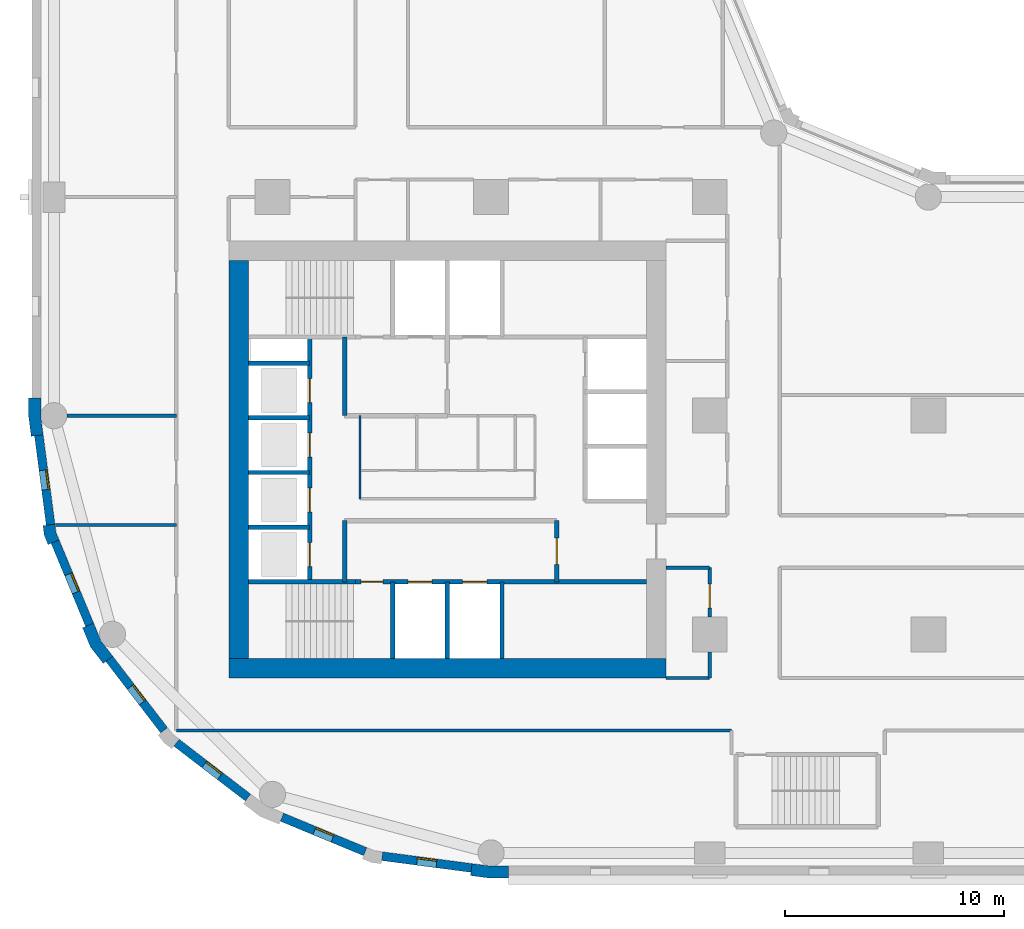
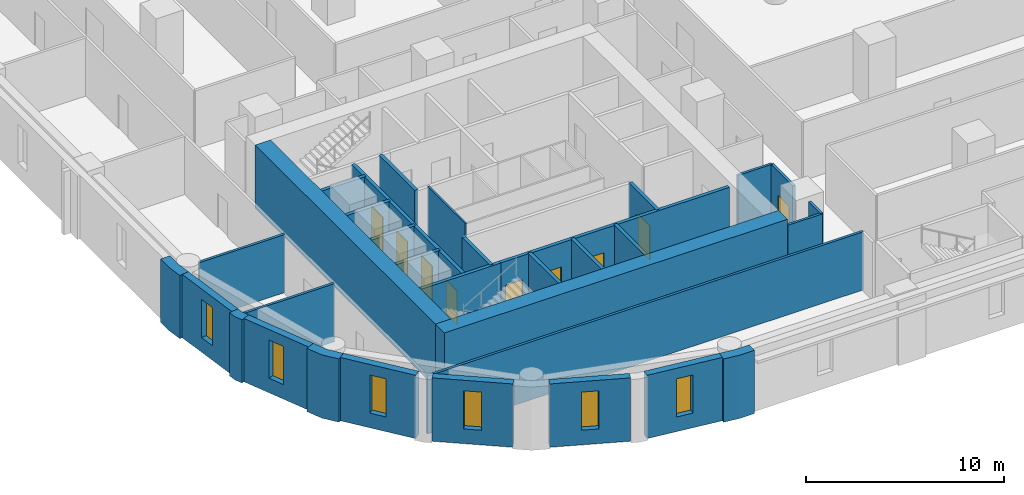
# One storey, part 2 of 10: 33 walls, 9 doors, 6 windows, 15 openings.
"""IFC4 building model written with IfcOpenShell, lengths in metres."""

from ifc_helpers import new_model, si_unit, direction, frame, frame_2d, origin, place, context, subcontext, project, spatial, polyline, rectangle, outline, extrude, material, layer, layer_set, type_object, element, fill, save


model = new_model("IFC4")

# Units and contexts
model_context = context("Model", 3, precision=1e-05, world=origin(), true_north=direction((0.0, 1.0)))
body_context = subcontext(model_context, "Body", "Model", "MODEL_VIEW")
ifc_project = project(units=[si_unit("LENGTHUNIT", "METRE"), si_unit("AREAUNIT", "SQUARE_METRE"), si_unit("VOLUMEUNIT", "CUBIC_METRE"), si_unit("PLANEANGLEUNIT", "RADIAN"), si_unit("MASSUNIT", "GRAM", prefix="KILO")], contexts=[model_context])

# Site, building, storey
site_placement = place(None, origin())
site = spatial("IfcSite", under=ifc_project, at=site_placement, CompositionType="ELEMENT")
building_placement = place(site_placement, origin())
building = spatial("IfcBuilding", under=site, at=building_placement, Name="Qaws Garden Tower", CompositionType="ELEMENT")
storey_placement = place(building_placement, frame((0.0, 0.0, 12.0)))
storey = spatial("IfcBuildingStorey", under=building, at=storey_placement, Name="L02", CompositionType="ELEMENT", Elevation=12.0)

# Wall, opening, window
ifc_material_1 = material(Name="Clay facing brick masonry", Category="masonry")
ifc_layer_1 = layer(ifc_material_1, 0.39990234375)
ifc_layer_set_1 = layer_set([ifc_layer_1], Name="Clay facing brick masonry")
wall_type_1 = type_object("IfcWallType", Name="Brick infill wall 400", PredefinedType="SOLIDWALL", material=ifc_layer_set_1)
wall_1_placement = place(storey_placement, frame((-0.688720703125, 19.102294921875, 0.0), z_axis=(0.0, 0.0, 1.0), x_axis=(0.130514280502, -0.991446429508, 0.0)))
wall_1 = element("IfcWall", 1, at=wall_1_placement, inside=storey, type_object=wall_type_1, Name="E-L02-infill-27", PredefinedType="SOLIDWALL", context=body_context, shape_type="SweptSolid", body=[
    extrude(rectangle(XDim=4.120849609375, YDim=0.39990234375, at=frame_2d((2.060546875, 0.0))), origin(), (0.0, 0.0, 1.0), 3.89990234375),
])
opening_1_placement = place(wall_1_placement, frame((1.610595703125, 0.0, 0.89990234375)))
opening_1 = element("IfcOpeningElement", 2, at=opening_1_placement, cuts=wall_1, Name="Opening W09", PredefinedType="OPENING", context=body_context, shape_type="SweptSolid", body=[
    extrude(rectangle(XDim=0.89990234375, YDim=2.35009765625, at=frame_2d((0.449951171875, 1.175048828125))), frame((0.0, 0.2099609375, 0.0), z_axis=(0.0, -1.0, 0.0), x_axis=(1.0, 0.0, 0.0)), (0.0, 0.0, 1.0), 0.419921875),
])
ifc_material_2 = material(Name="Aluminium framed window, clear glazing", Category="aluminium")
window_type = type_object("IfcWindowType", Name="Slit window 900 x 2350", PartitioningType="SINGLE_PANEL", PredefinedType="WINDOW", material=ifc_material_2)
window_1_placement = place(opening_1_placement, origin())
window_1 = element("IfcWindow", 3, at=window_1_placement, inside=storey, type_object=window_type, Name="E-L02-window-27-0", OverallHeight=2.35009765625, OverallWidth=0.89990234375, PartitioningType="SINGLE_PANEL", PredefinedType="WINDOW", context=body_context, shape_type="SweptSolid", body=[
    extrude(rectangle(XDim=0.89990234375, YDim=2.35009765625, at=frame_2d((0.449951171875, 1.175048828125))), frame((0.0, 0.159912109375, 0.0), z_axis=(0.0, -1.0, 0.0), x_axis=(1.0, 0.0, 0.0)), (0.0, 0.0, 1.0), 0.06005859375),
])
fill(opening_1, window_1)

wall_2_placement = place(storey_placement, frame((0.05712890625, 14.240234375, 0.0), z_axis=(0.0, 0.0, 1.0), x_axis=(0.382721546029, -0.923863744394, 0.0)))
wall_2 = element("IfcWall", 4, at=wall_2_placement, inside=storey, type_object=wall_type_1, Name="E-L02-infill-28", PredefinedType="SOLIDWALL", context=body_context, shape_type="SweptSolid", body=[
    extrude(rectangle(XDim=4.120849609375, YDim=0.39990234375, at=frame_2d((2.060546875, 0.0))), origin(), (0.0, 0.0, 1.0), 3.89990234375),
])
opening_2_placement = place(wall_2_placement, frame((1.610595703125, 0.0, 0.89990234375)))
opening_2 = element("IfcOpeningElement", 5, at=opening_2_placement, cuts=wall_2, Name="Opening W09", PredefinedType="OPENING", context=body_context, shape_type="SweptSolid", body=[
    extrude(rectangle(XDim=0.89990234375, YDim=2.35009765625, at=frame_2d((0.449951171875, 1.175048828125))), frame((0.0, 0.2099609375, 0.0), z_axis=(0.0, -1.0, 0.0), x_axis=(1.0, 0.0, 0.0)), (0.0, 0.0, 1.0), 0.419921875),
])
window_2_placement = place(opening_2_placement, origin())
window_2 = element("IfcWindow", 6, at=window_2_placement, inside=storey, type_object=window_type, Name="E-L02-window-28-0", OverallHeight=2.35009765625, OverallWidth=0.89990234375, PartitioningType="SINGLE_PANEL", PredefinedType="WINDOW", context=body_context, shape_type="SweptSolid", body=[
    extrude(rectangle(XDim=0.89990234375, YDim=2.35009765625, at=frame_2d((0.449951171875, 1.175048828125))), frame((0.0, 0.159912109375, 0.0), z_axis=(0.0, -1.0, 0.0), x_axis=(1.0, 0.0, 0.0)), (0.0, 0.0, 1.0), 0.06005859375),
])
fill(opening_2, window_2)

wall_3_placement = place(storey_placement, frame((2.53173828125, 8.87841796875, 0.0), z_axis=(0.0, 0.0, 1.0), x_axis=(0.608759824817, -0.793354571229, 0.0)))
wall_3 = element("IfcWall", 7, at=wall_3_placement, inside=storey, type_object=wall_type_1, Name="E-L02-infill-29", PredefinedType="SOLIDWALL", context=body_context, shape_type="SweptSolid", body=[
    extrude(rectangle(XDim=4.12109375, YDim=0.39990234375, at=frame_2d((2.060546875, 0.0))), origin(), (0.0, 0.0, 1.0), 3.89990234375),
])
opening_3_placement = place(wall_3_placement, frame((1.610595703125, 0.0, 0.89990234375)))
opening_3 = element("IfcOpeningElement", 8, at=opening_3_placement, cuts=wall_3, Name="Opening W09", PredefinedType="OPENING", context=body_context, shape_type="SweptSolid", body=[
    extrude(rectangle(XDim=0.89990234375, YDim=2.35009765625, at=frame_2d((0.449951171875, 1.175048828125))), frame((0.0, 0.2099609375, 0.0), z_axis=(0.0, -1.0, 0.0), x_axis=(1.0, 0.0, 0.0)), (0.0, 0.0, 1.0), 0.419921875),
])
window_3_placement = place(opening_3_placement, origin())
window_3 = element("IfcWindow", 9, at=window_3_placement, inside=storey, type_object=window_type, Name="E-L02-window-29-0", OverallHeight=2.35009765625, OverallWidth=0.89990234375, PartitioningType="SINGLE_PANEL", PredefinedType="WINDOW", context=body_context, shape_type="SweptSolid", body=[
    extrude(rectangle(XDim=0.89990234375, YDim=2.35009765625, at=frame_2d((0.449951171875, 1.175048828125))), frame((0.0, 0.159912109375, 0.0), z_axis=(0.0, -1.0, 0.0), x_axis=(1.0, 0.0, 0.0)), (0.0, 0.0, 1.0), 0.06005859375),
])
fill(opening_3, window_3)

wall_4_placement = place(storey_placement, frame((5.60888671875, 5.04052734375, 0.0), z_axis=(0.0, 0.0, 1.0), x_axis=(0.793354571229, -0.608759824817, 0.0)))
wall_4 = element("IfcWall", 10, at=wall_4_placement, inside=storey, type_object=wall_type_1, Name="E-L02-infill-30", PredefinedType="SOLIDWALL", context=body_context, shape_type="SweptSolid", body=[
    extrude(rectangle(XDim=4.12109375, YDim=0.39990234375, at=frame_2d((2.060546875, 0.0))), origin(), (0.0, 0.0, 1.0), 3.89990234375),
])
opening_4_placement = place(wall_4_placement, frame((1.610595703125, 0.0, 0.89990234375)))
opening_4 = element("IfcOpeningElement", 11, at=opening_4_placement, cuts=wall_4, Name="Opening W09", PredefinedType="OPENING", context=body_context, shape_type="SweptSolid", body=[
    extrude(rectangle(XDim=0.89990234375, YDim=2.35009765625, at=frame_2d((0.449951171875, 1.175048828125))), frame((0.0, 0.2099609375, 0.0), z_axis=(0.0, -1.0, 0.0), x_axis=(1.0, 0.0, 0.0)), (0.0, 0.0, 1.0), 0.419921875),
])
window_4_placement = place(opening_4_placement, origin())
window_4 = element("IfcWindow", 12, at=window_4_placement, inside=storey, type_object=window_type, Name="E-L02-window-30-0", OverallHeight=2.35009765625, OverallWidth=0.89990234375, PartitioningType="SINGLE_PANEL", PredefinedType="WINDOW", context=body_context, shape_type="SweptSolid", body=[
    extrude(rectangle(XDim=0.89990234375, YDim=2.35009765625, at=frame_2d((0.449951171875, 1.175048828125))), frame((0.0, 0.159912109375, 0.0), z_axis=(0.0, -1.0, 0.0), x_axis=(1.0, 0.0, 0.0)), (0.0, 0.0, 1.0), 0.06005859375),
])
fill(opening_4, window_4)

wall_5_placement = place(storey_placement, frame((10.43310546875, 1.63427734375, 0.0), z_axis=(0.0, 0.0, 1.0), x_axis=(0.923863744394, -0.382721546029, 0.0)))
wall_5 = element("IfcWall", 13, at=wall_5_placement, inside=storey, type_object=wall_type_1, Name="E-L02-infill-31", PredefinedType="SOLIDWALL", context=body_context, shape_type="SweptSolid", body=[
    extrude(rectangle(XDim=4.120849609375, YDim=0.39990234375, at=frame_2d((2.060546875, 0.0))), origin(), (0.0, 0.0, 1.0), 3.89990234375),
])
opening_5_placement = place(wall_5_placement, frame((1.610595703125, 0.0, 0.89990234375)))
opening_5 = element("IfcOpeningElement", 14, at=opening_5_placement, cuts=wall_5, Name="Opening W09", PredefinedType="OPENING", context=body_context, shape_type="SweptSolid", body=[
    extrude(rectangle(XDim=0.89990234375, YDim=2.35009765625, at=frame_2d((0.449951171875, 1.175048828125))), frame((0.0, 0.2099609375, 0.0), z_axis=(0.0, -1.0, 0.0), x_axis=(1.0, 0.0, 0.0)), (0.0, 0.0, 1.0), 0.419921875),
])
window_5_placement = place(opening_5_placement, origin())
window_5 = element("IfcWindow", 15, at=window_5_placement, inside=storey, type_object=window_type, Name="E-L02-window-31-0", OverallHeight=2.35009765625, OverallWidth=0.89990234375, PartitioningType="SINGLE_PANEL", PredefinedType="WINDOW", context=body_context, shape_type="SweptSolid", body=[
    extrude(rectangle(XDim=0.89990234375, YDim=2.35009765625, at=frame_2d((0.449951171875, 1.175048828125))), frame((0.0, 0.159912109375, 0.0), z_axis=(0.0, -1.0, 0.0), x_axis=(1.0, 0.0, 0.0)), (0.0, 0.0, 1.0), 0.06005859375),
])
fill(opening_5, window_5)

wall_6_placement = place(storey_placement, frame((15.0166015625, -0.15087890625, 0.0), z_axis=(0.0, 0.0, 1.0), x_axis=(0.991446429508, -0.130514280502, 0.0)))
wall_6 = element("IfcWall", 16, at=wall_6_placement, inside=storey, type_object=wall_type_1, Name="E-L02-infill-32", PredefinedType="SOLIDWALL", context=body_context, shape_type="SweptSolid", body=[
    extrude(rectangle(XDim=4.120849609375, YDim=0.39990234375, at=frame_2d((2.060546875, 0.0))), origin(), (0.0, 0.0, 1.0), 3.89990234375),
])
opening_6_placement = place(wall_6_placement, frame((1.610595703125, 0.0, 0.89990234375)))
opening_6 = element("IfcOpeningElement", 17, at=opening_6_placement, cuts=wall_6, Name="Opening W09", PredefinedType="OPENING", context=body_context, shape_type="SweptSolid", body=[
    extrude(rectangle(XDim=0.89990234375, YDim=2.35009765625, at=frame_2d((0.449951171875, 1.175048828125))), frame((0.0, 0.2099609375, 0.0), z_axis=(0.0, -1.0, 0.0), x_axis=(1.0, 0.0, 0.0)), (0.0, 0.0, 1.0), 0.419921875),
])
window_6_placement = place(opening_6_placement, origin())
window_6 = element("IfcWindow", 18, at=window_6_placement, inside=storey, type_object=window_type, Name="E-L02-window-32-0", OverallHeight=2.35009765625, OverallWidth=0.89990234375, PartitioningType="SINGLE_PANEL", PredefinedType="WINDOW", context=body_context, shape_type="SweptSolid", body=[
    extrude(rectangle(XDim=0.89990234375, YDim=2.35009765625, at=frame_2d((0.449951171875, 1.175048828125))), frame((0.0, 0.159912109375, 0.0), z_axis=(0.0, -1.0, 0.0), x_axis=(1.0, 0.0, 0.0)), (0.0, 0.0, 1.0), 0.06005859375),
])
fill(opening_6, window_6)

# Walls
ifc_material_3 = material(Name="Clay facing brick masonry", Category="masonry")
ifc_layer_2 = layer(ifc_material_3, 0.550048828125)
ifc_layer_set_2 = layer_set([ifc_layer_2], Name="Clay facing brick masonry")
wall_type_2 = type_object("IfcWallType", Name="Brick kink pier 550 x 600", PredefinedType="SOLIDWALL", material=ifc_layer_set_2)
placement = place(storey_placement, origin())
element("IfcWall", 19, at=placement, inside=storey, type_object=wall_type_2, Name="E-L02-pier-28", PredefinedType="SOLIDWALL", context=body_context, shape_type="SweptSolid", body=[
    extrude(outline(polyline([(-0.34912109375, 14.990478515625), (-0.497802734375, 14.970947265625), (-0.43896484375, 14.5234375), (-0.26611328125, 14.1064453125), (-0.127685546875, 14.163818359375), (0.241943359375, 14.31689453125), (0.096923828125, 14.6669921875), (0.04736328125, 15.042724609375), (-0.34912109375, 14.990478515625)])), origin(), (0.0, 0.0, 1.0), 3.89990234375),
])
ifc_material_4 = material(Name="Clay facing brick masonry", Category="masonry")
ifc_layer_3 = layer(ifc_material_4, 0.550048828125)
ifc_layer_set_3 = layer_set([ifc_layer_3], Name="Clay facing brick masonry")
wall_type_3 = type_object("IfcWallType", Name="Brick pier 550 x 1600", PredefinedType="SOLIDWALL", material=ifc_layer_set_3)
element("IfcWall", 20, at=placement, inside=storey, type_object=wall_type_3, Name="E-L02-pier-00", PredefinedType="SOLIDWALL", context=body_context, shape_type="SweptSolid", body=[
    extrude(outline(polyline([(19.076416015625, -0.886962890625), (19.056640625, -1.03564453125), (19.924560546875, -1.14990234375), (20.800048828125, -1.14990234375), (20.800048828125, -1.0), (20.800048828125, -0.60009765625), (19.960693359375, -0.60009765625), (19.12841796875, -0.490478515625), (19.076416015625, -0.886962890625)])), origin(), (0.0, 0.0, 1.0), 3.89990234375),
])
element("IfcWall", 21, at=placement, inside=storey, type_object=wall_type_3, Name="E-L02-pier-27", PredefinedType="SOLIDWALL", context=body_context, shape_type="SweptSolid", body=[
    extrude(outline(polyline([(-1.0, 20.800048828125), (-1.14990234375, 20.800048828125), (-1.14990234375, 19.924560546875), (-1.03564453125, 19.056640625), (-0.886962890625, 19.076416015625), (-0.490478515625, 19.12841796875), (-0.60009765625, 19.960693359375), (-0.60009765625, 20.800048828125), (-1.0, 20.800048828125)])), origin(), (0.0, 0.0, 1.0), 3.89990234375),
])
element("IfcWall", 22, at=placement, inside=storey, type_object=wall_type_3, Name="E-L02-pier-29", PredefinedType="SOLIDWALL", context=body_context, shape_type="SweptSolid", body=[
    extrude(outline(polyline([(1.449462890625, 10.3564453125), (1.310791015625, 10.299072265625), (1.675048828125, 9.419921875), (2.254150390625, 8.665283203125), (2.373046875, 8.756591796875), (2.6904296875, 9.0), (2.1552734375, 9.697509765625), (1.819091796875, 10.509521484375), (1.449462890625, 10.3564453125)])), origin(), (0.0, 0.0, 1.0), 3.89990234375),
])
ifc_material_5 = material(Name="Plasterboard")
ifc_layer_4 = layer(ifc_material_5, 0.10009765625)
ifc_layer_set_4 = layer_set([ifc_layer_4], Name="Plasterboard")
wall_type_4 = type_object("IfcWallType", Name="Core partition 100", PredefinedType="PARTITIONING", material=ifc_layer_set_4)
wall_11_placement = place(storey_placement, frame((14.0, 16.199951171875, 0.0), z_axis=(0.0, 0.0, 1.0), x_axis=(0.0, 1.0, 0.0)))
element("IfcWall", 23, at=wall_11_placement, inside=storey, type_object=wall_type_4, Name="Core partition", PredefinedType="PARTITIONING", context=body_context, shape_type="SweptSolid", body=[
    extrude(rectangle(XDim=3.800048828125, YDim=0.10009765625, at=frame_2d((1.89990234375, 0.0))), origin(), (0.0, 0.0, 1.0), 3.580078125),
])
ifc_material_6 = material(Name="Concrete C80", Category="concrete")
ifc_layer_5 = layer(ifc_material_6, 0.199951171875)
ifc_layer_set_5 = layer_set([ifc_layer_5], Name="Concrete C80")
wall_type_5 = type_object("IfcWallType", Name="Core shaft wall 200 C80", PredefinedType="SHEAR", material=ifc_layer_set_5)
wall_12_placement = place(storey_placement, frame((8.89990234375, 12.39990234375, 0.0), z_axis=(0.0, 0.0, 1.0), x_axis=(1.0, 0.0, 0.0)))
element("IfcWall", 24, at=wall_12_placement, inside=storey, type_object=wall_type_5, Name="Shaft wall", PredefinedType="SHEAR", context=body_context, shape_type="SweptSolid", body=[
    extrude(rectangle(XDim=4.900146484375, YDim=0.199951171875, at=frame_2d((2.4501953125, 0.0))), origin(), (0.0, 0.0, 1.0), 3.580078125),
])

# Wall, openings, doors
wall_13_placement = place(storey_placement, frame((13.800048828125, 12.39990234375, 0.0), z_axis=(0.0, 0.0, 1.0), x_axis=(1.0, 0.0, 0.0)))
wall_13 = element("IfcWall", 25, at=wall_13_placement, inside=storey, type_object=wall_type_5, Name="Shaft wall", PredefinedType="SHEAR", context=body_context, shape_type="SweptSolid", body=[
    extrude(rectangle(XDim=13.300048828125, YDim=0.199951171875, at=frame_2d((6.64990234375, 0.0))), origin(), (0.0, 0.0, 1.0), 3.580078125),
])
opening_7_placement = place(wall_13_placement, frame((2.39990234375, 0.0, 0.0)))
opening_7 = element("IfcOpeningElement", 26, at=opening_7_placement, cuts=wall_13, Name="Opening LD06", PredefinedType="OPENING", context=body_context, shape_type="SweptSolid", body=[
    extrude(rectangle(XDim=1.10009765625, YDim=2.10009765625, at=frame_2d((0.550048828125, 1.050048828125))), frame((0.0, 0.10986328125, 0.0), z_axis=(0.0, -1.0, 0.0), x_axis=(1.0, 0.0, 0.0)), (0.0, 0.0, 1.0), 0.219970703125),
])
opening_8_placement = place(wall_13_placement, frame((4.89990234375, 0.0, 0.0)))
opening_8 = element("IfcOpeningElement", 27, at=opening_8_placement, cuts=wall_13, Name="Opening LD07", PredefinedType="OPENING", context=body_context, shape_type="SweptSolid", body=[
    extrude(rectangle(XDim=1.10009765625, YDim=2.10009765625, at=frame_2d((0.550048828125, 1.050048828125))), frame((0.0, 0.10986328125, 0.0), z_axis=(0.0, -1.0, 0.0), x_axis=(1.0, 0.0, 0.0)), (0.0, 0.0, 1.0), 0.219970703125),
])
opening_9_placement = place(wall_13_placement, frame((0.25, 0.0, 0.0)))
opening_9 = element("IfcOpeningElement", 28, at=opening_9_placement, cuts=wall_13, Name="Opening SD10", PredefinedType="OPENING", context=body_context, shape_type="SweptSolid", body=[
    extrude(rectangle(XDim=1.0, YDim=2.10009765625, at=frame_2d((0.5, 1.050048828125))), frame((0.0, 0.10986328125, 0.0), z_axis=(0.0, -1.0, 0.0), x_axis=(1.0, 0.0, 0.0)), (0.0, 0.0, 1.0), 0.219970703125),
])
ifc_material_7 = material(Name="Steel S235", Category="steel")
door_type_1 = type_object("IfcDoorType", Name="Landing door 1100x2100", OperationType="DOUBLE_DOOR_SLIDING", PredefinedType="DOOR", material=ifc_material_7)
door_1_placement = place(opening_7_placement, origin())
door_1 = element("IfcDoor", 29, at=door_1_placement, inside=storey, type_object=door_type_1, Name="Lift FF1 landing door", OperationType="DOUBLE_DOOR_SLIDING", OverallHeight=2.10009765625, OverallWidth=1.10009765625, PredefinedType="DOOR", context=body_context, shape_type="SweptSolid", body=[
    extrude(rectangle(XDim=1.10009765625, YDim=2.10009765625, at=frame_2d((0.550048828125, 1.050048828125))), frame((0.0, 0.02490234375, 0.0), z_axis=(0.0, -1.0, 0.0), x_axis=(1.0, 0.0, 0.0)), (0.0, 0.0, 1.0), 0.050048828125),
])
fill(opening_7, door_1)
door_2_placement = place(opening_8_placement, origin())
door_2 = element("IfcDoor", 30, at=door_2_placement, inside=storey, type_object=door_type_1, Name="Lift FF2 landing door", OperationType="DOUBLE_DOOR_SLIDING", OverallHeight=2.10009765625, OverallWidth=1.10009765625, PredefinedType="DOOR", context=body_context, shape_type="SweptSolid", body=[
    extrude(rectangle(XDim=1.10009765625, YDim=2.10009765625, at=frame_2d((0.550048828125, 1.050048828125))), frame((0.0, 0.02490234375, 0.0), z_axis=(0.0, -1.0, 0.0), x_axis=(1.0, 0.0, 0.0)), (0.0, 0.0, 1.0), 0.050048828125),
])
fill(opening_8, door_2)
ifc_material_8 = material(Name="Steel S235", Category="steel")
door_type_2 = type_object("IfcDoorType", Name="Stair door 1000x2100", OperationType="SINGLE_SWING_RIGHT", PredefinedType="DOOR", material=ifc_material_8)
door_3_placement = place(opening_9_placement, frame((1.0, 0.0, 0.0), z_axis=(0.0, 0.0, 1.0), x_axis=(-1.0, 0.0, 0.0)))
door_3 = element("IfcDoor", 31, at=door_3_placement, inside=storey, type_object=door_type_2, Name="Stair 1 door", OperationType="SINGLE_SWING_LEFT", OverallHeight=2.10009765625, OverallWidth=1.0, PredefinedType="DOOR", context=body_context, shape_type="SweptSolid", body=[
    extrude(rectangle(XDim=1.0, YDim=2.10009765625, at=frame_2d((0.5, 1.050048828125))), frame((0.0, 0.02490234375, 0.0), z_axis=(0.0, -1.0, 0.0), x_axis=(1.0, 0.0, 0.0)), (0.0, 0.0, 1.0), 0.050048828125),
])
fill(opening_9, door_3)

# Walls
for number, where, z_axis, x_axis, name in (
    (32, (8.89990234375, 14.89990234375, 0.0), (0.0, 0.0, 1.0), (1.0, 0.0, 0.0), "Shaft wall"),
    (33, (8.89990234375, 17.39990234375, 0.0), (0.0, 0.0, 1.0), (1.0, 0.0, 0.0), "Shaft wall"),
    (34, (8.89990234375, 19.89990234375, 0.0), (0.0, 0.0, 1.0), (1.0, 0.0, 0.0), "Shaft wall"),
    (35, (8.89990234375, 22.39990234375, 0.0), (0.0, 0.0, 1.0), (1.0, 0.0, 0.0), "Shaft wall"),
):
    element("IfcWall", number, at=place(storey_placement, frame(where, z_axis=z_axis, x_axis=x_axis)), inside=storey, type_object=wall_type_5, Name=name, PredefinedType="SHEAR", context=body_context, shape_type="SweptSolid", body=[
        extrude(rectangle(XDim=2.800048828125, YDim=0.199951171875, at=frame_2d((1.39990234375, 0.0))), origin(), (0.0, 0.0, 1.0), 3.580078125),
    ])

# Wall, openings, doors
wall_14_placement = place(storey_placement, frame((11.699951171875, 12.39990234375, 0.0), z_axis=(0.0, 0.0, 1.0), x_axis=(0.0, 1.0, 0.0)))
wall_14 = element("IfcWall", 36, at=wall_14_placement, inside=storey, type_object=wall_type_5, Name="Shaft wall", PredefinedType="SHEAR", context=body_context, shape_type="SweptSolid", body=[
    extrude(rectangle(XDim=11.2001953125, YDim=0.199951171875, at=frame_2d((5.60009765625, 0.0))), origin(), (0.0, 0.0, 1.0), 3.580078125),
])
opening_10_placement = place(wall_14_placement, frame((0.699951171875, 0.0, 0.0)))
opening_10 = element("IfcOpeningElement", 37, at=opening_10_placement, cuts=wall_14, Name="Opening LD01", PredefinedType="OPENING", context=body_context, shape_type="SweptSolid", body=[
    extrude(rectangle(XDim=1.10009765625, YDim=2.10009765625, at=frame_2d((0.550048828125, 1.050048828125))), frame((0.0, 0.10986328125, 0.0), z_axis=(0.0, -1.0, 0.0), x_axis=(1.0, 0.0, 0.0)), (0.0, 0.0, 1.0), 0.219970703125),
])
opening_11_placement = place(wall_14_placement, frame((3.199951171875, 0.0, 0.0)))
opening_11 = element("IfcOpeningElement", 38, at=opening_11_placement, cuts=wall_14, Name="Opening LD02", PredefinedType="OPENING", context=body_context, shape_type="SweptSolid", body=[
    extrude(rectangle(XDim=1.10009765625, YDim=2.10009765625, at=frame_2d((0.550048828125, 1.050048828125))), frame((0.0, 0.10986328125, 0.0), z_axis=(0.0, -1.0, 0.0), x_axis=(1.0, 0.0, 0.0)), (0.0, 0.0, 1.0), 0.219970703125),
])
opening_12_placement = place(wall_14_placement, frame((5.699951171875, 0.0, 0.0)))
opening_12 = element("IfcOpeningElement", 39, at=opening_12_placement, cuts=wall_14, Name="Opening LD03", PredefinedType="OPENING", context=body_context, shape_type="SweptSolid", body=[
    extrude(rectangle(XDim=1.10009765625, YDim=2.10009765625, at=frame_2d((0.550048828125, 1.050048828125))), frame((0.0, 0.10986328125, 0.0), z_axis=(0.0, -1.0, 0.0), x_axis=(1.0, 0.0, 0.0)), (0.0, 0.0, 1.0), 0.219970703125),
])
opening_13_placement = place(wall_14_placement, frame((8.199951171875, 0.0, 0.0)))
opening_13 = element("IfcOpeningElement", 40, at=opening_13_placement, cuts=wall_14, Name="Opening LD04", PredefinedType="OPENING", context=body_context, shape_type="SweptSolid", body=[
    extrude(rectangle(XDim=1.10009765625, YDim=2.10009765625, at=frame_2d((0.550048828125, 1.050048828125))), frame((0.0, 0.10986328125, 0.0), z_axis=(0.0, -1.0, 0.0), x_axis=(1.0, 0.0, 0.0)), (0.0, 0.0, 1.0), 0.219970703125),
])
door_4_placement = place(opening_10_placement, origin())
door_4 = element("IfcDoor", 41, at=door_4_placement, inside=storey, type_object=door_type_1, Name="Lift W1 landing door", OperationType="DOUBLE_DOOR_SLIDING", OverallHeight=2.10009765625, OverallWidth=1.10009765625, PredefinedType="DOOR", context=body_context, shape_type="SweptSolid", body=[
    extrude(rectangle(XDim=1.10009765625, YDim=2.10009765625, at=frame_2d((0.550048828125, 1.050048828125))), frame((0.0, 0.02490234375, 0.0), z_axis=(0.0, -1.0, 0.0), x_axis=(1.0, 0.0, 0.0)), (0.0, 0.0, 1.0), 0.050048828125),
])
fill(opening_10, door_4)
door_5_placement = place(opening_11_placement, origin())
door_5 = element("IfcDoor", 42, at=door_5_placement, inside=storey, type_object=door_type_1, Name="Lift W2 landing door", OperationType="DOUBLE_DOOR_SLIDING", OverallHeight=2.10009765625, OverallWidth=1.10009765625, PredefinedType="DOOR", context=body_context, shape_type="SweptSolid", body=[
    extrude(rectangle(XDim=1.10009765625, YDim=2.10009765625, at=frame_2d((0.550048828125, 1.050048828125))), frame((0.0, 0.02490234375, 0.0), z_axis=(0.0, -1.0, 0.0), x_axis=(1.0, 0.0, 0.0)), (0.0, 0.0, 1.0), 0.050048828125),
])
fill(opening_11, door_5)
door_6_placement = place(opening_12_placement, origin())
door_6 = element("IfcDoor", 43, at=door_6_placement, inside=storey, type_object=door_type_1, Name="Lift W3 landing door", OperationType="DOUBLE_DOOR_SLIDING", OverallHeight=2.10009765625, OverallWidth=1.10009765625, PredefinedType="DOOR", context=body_context, shape_type="SweptSolid", body=[
    extrude(rectangle(XDim=1.10009765625, YDim=2.10009765625, at=frame_2d((0.550048828125, 1.050048828125))), frame((0.0, 0.02490234375, 0.0), z_axis=(0.0, -1.0, 0.0), x_axis=(1.0, 0.0, 0.0)), (0.0, 0.0, 1.0), 0.050048828125),
])
fill(opening_12, door_6)
door_7_placement = place(opening_13_placement, origin())
door_7 = element("IfcDoor", 44, at=door_7_placement, inside=storey, type_object=door_type_1, Name="Lift W4 landing door", OperationType="DOUBLE_DOOR_SLIDING", OverallHeight=2.10009765625, OverallWidth=1.10009765625, PredefinedType="DOOR", context=body_context, shape_type="SweptSolid", body=[
    extrude(rectangle(XDim=1.10009765625, YDim=2.10009765625, at=frame_2d((0.550048828125, 1.050048828125))), frame((0.0, 0.02490234375, 0.0), z_axis=(0.0, -1.0, 0.0), x_axis=(1.0, 0.0, 0.0)), (0.0, 0.0, 1.0), 0.050048828125),
])
fill(opening_13, door_7)

# Walls
wall_15_placement = place(storey_placement, frame((13.300048828125, 12.39990234375, 0.0), z_axis=(0.0, 0.0, 1.0), x_axis=(0.0, 1.0, 0.0)))
element("IfcWall", 45, at=wall_15_placement, inside=storey, type_object=wall_type_5, Name="Shaft wall", PredefinedType="SHEAR", context=body_context, shape_type="SweptSolid", body=[
    extrude(rectangle(XDim=2.800048828125, YDim=0.199951171875, at=frame_2d((1.39990234375, 0.0))), origin(), (0.0, 0.0, 1.0), 3.580078125),
])
wall_16_placement = place(storey_placement, frame((13.300048828125, 20.0, 0.0), z_axis=(0.0, 0.0, 1.0), x_axis=(0.0, 1.0, 0.0)))
element("IfcWall", 46, at=wall_16_placement, inside=storey, type_object=wall_type_5, Name="Shaft wall", PredefinedType="SHEAR", context=body_context, shape_type="SweptSolid", body=[
    extrude(rectangle(XDim=3.60009765625, YDim=0.199951171875, at=frame_2d((1.800048828125, 0.0))), origin(), (0.0, 0.0, 1.0), 3.580078125),
])
for number, where, z_axis, x_axis, name in (
    (47, (15.5, 8.89990234375, 0.0), (0.0, 0.0, 1.0), (0.0, 1.0, 0.0), "Shaft wall"),
    (48, (18.0, 8.89990234375, 0.0), (0.0, 0.0, 1.0), (0.0, 1.0, 0.0), "Shaft wall"),
    (49, (20.5, 8.89990234375, 0.0), (0.0, 0.0, 1.0), (0.0, 1.0, 0.0), "Shaft wall"),
):
    element("IfcWall", number, at=place(storey_placement, frame(where, z_axis=z_axis, x_axis=x_axis)), inside=storey, type_object=wall_type_5, Name=name, PredefinedType="SHEAR", context=body_context, shape_type="SweptSolid", body=[
        extrude(rectangle(XDim=3.5, YDim=0.199951171875, at=frame_2d((1.75, 0.0))), origin(), (0.0, 0.0, 1.0), 3.580078125),
    ])

# Wall, opening, door
wall_17_placement = place(storey_placement, frame((23.0, 12.39990234375, 0.0), z_axis=(0.0, 0.0, 1.0), x_axis=(0.0, 1.0, 0.0)))
wall_17 = element("IfcWall", 50, at=wall_17_placement, inside=storey, type_object=wall_type_5, Name="Shaft wall", PredefinedType="SHEAR", context=body_context, shape_type="SweptSolid", body=[
    extrude(rectangle(XDim=2.800048828125, YDim=0.199951171875, at=frame_2d((1.39990234375, 0.0))), origin(), (0.0, 0.0, 1.0), 3.580078125),
])
opening_14_placement = place(wall_17_placement, frame((0.800048828125, 0.0, 0.0)))
opening_14 = element("IfcOpeningElement", 51, at=opening_14_placement, cuts=wall_17, Name="Opening FD15", PredefinedType="OPENING", context=body_context, shape_type="SweptSolid", body=[
    extrude(rectangle(XDim=1.199951171875, YDim=2.10009765625, at=frame_2d((0.60009765625, 1.050048828125))), frame((0.0, 0.10986328125, 0.0), z_axis=(0.0, -1.0, 0.0), x_axis=(1.0, 0.0, 0.0)), (0.0, 0.0, 1.0), 0.219970703125),
])
ifc_material_9 = material(Name="Steel S235", Category="steel")
door_type_3 = type_object("IfcDoorType", Name="Lobby door 1200x2100", OperationType="DOUBLE_DOOR_SINGLE_SWING", PredefinedType="DOOR", material=ifc_material_9)
door_8_placement = place(opening_14_placement, origin())
door_8 = element("IfcDoor", 52, at=door_8_placement, inside=storey, type_object=door_type_3, Name="Fire-fighting lobby door", OperationType="DOUBLE_DOOR_SINGLE_SWING", OverallHeight=2.10009765625, OverallWidth=1.199951171875, PredefinedType="DOOR", context=body_context, shape_type="SweptSolid", body=[
    extrude(rectangle(XDim=1.199951171875, YDim=2.10009765625, at=frame_2d((0.60009765625, 1.050048828125))), frame((0.0, 0.02490234375, 0.0), z_axis=(0.0, -1.0, 0.0), x_axis=(1.0, 0.0, 0.0)), (0.0, 0.0, 1.0), 0.050048828125),
])
fill(opening_14, door_8)

# Walls
ifc_material_10 = material(Name="Concrete C80", Category="concrete")
ifc_layer_6 = layer(ifc_material_10, 0.89990234375)
ifc_layer_set_6 = layer_set([ifc_layer_6], Name="Concrete C80")
wall_type_6 = type_object("IfcWallType", Name="Core wall 900 C80", PredefinedType="SHEAR", material=ifc_layer_set_6)
wall_18_placement = place(storey_placement, frame((8.0, 8.449951171875, 0.0), z_axis=(0.0, 0.0, 1.0), x_axis=(1.0, 0.0, 0.0)))
element("IfcWall", 53, at=wall_18_placement, inside=storey, type_object=wall_type_6, Name="Core wall L02 south", PredefinedType="SHEAR", context=body_context, shape_type="SweptSolid", body=[
    extrude(rectangle(XDim=20.0, YDim=0.89990234375, at=frame_2d((10.0, 0.0))), origin(), (0.0, 0.0, 1.0), 3.89990234375),
])
wall_19_placement = place(storey_placement, frame((8.449951171875, 27.10009765625, 0.0), z_axis=(0.0, 0.0, 1.0), x_axis=(0.0, -1.0, 0.0)))
element("IfcWall", 54, at=wall_19_placement, inside=storey, type_object=wall_type_6, Name="Core wall L02 west", PredefinedType="SHEAR", context=body_context, shape_type="SweptSolid", body=[
    extrude(rectangle(XDim=18.2001953125, YDim=0.89990234375, at=frame_2d((9.10009765625, 0.0))), origin(), (0.0, 0.0, 1.0), 3.89990234375),
])
ifc_material_11 = material(Name="Gypsum board partition")
ifc_layer_7 = layer(ifc_material_11, 0.14990234375)
ifc_layer_set_7 = layer_set([ifc_layer_7], Name="Gypsum board partition")
wall_type_7 = type_object("IfcWallType", Name="PARTITION 150 EI 60", PredefinedType="PARTITIONING", material=ifc_layer_set_7)
wall_20_placement = place(storey_placement, frame((30.0, 8.0, 0.0), z_axis=(0.0, 0.0, 1.0), x_axis=(0.0, 1.0, 0.0)))
element("IfcWall", 55, at=wall_20_placement, inside=storey, type_object=wall_type_7, Name="O-L02-wall-014", PredefinedType="PARTITIONING", context=body_context, shape_type="SweptSolid", body=[
    extrude(rectangle(XDim=1.199951171875, YDim=0.14990234375, at=frame_2d((0.60009765625, 0.0))), origin(), (0.0, 0.0, 1.0), 3.580078125),
])

# Wall, opening, door
wall_21_placement = place(storey_placement, frame((30.0, 10.800048828125, 0.0), z_axis=(0.0, 0.0, 1.0), x_axis=(0.0, 1.0, 0.0)))
wall_21 = element("IfcWall", 56, at=wall_21_placement, inside=storey, type_object=wall_type_7, Name="O-L02-wall-015", PredefinedType="PARTITIONING", context=body_context, shape_type="SweptSolid", body=[
    extrude(rectangle(XDim=2.25, YDim=0.14990234375, at=frame_2d((1.125, 0.0))), origin(), (0.0, 0.0, 1.0), 3.580078125),
])
opening_15_placement = place(wall_21_placement, frame((0.39990234375, 0.0, 0.0)))
opening_15 = element("IfcOpeningElement", 57, at=opening_15_placement, cuts=wall_21, Name="Opening A104", PredefinedType="OPENING", context=body_context, shape_type="SweptSolid", body=[
    extrude(rectangle(XDim=1.10009765625, YDim=2.10009765625, at=frame_2d((0.550048828125, 1.050048828125))), frame((0.0, 0.0849609375, 0.0), z_axis=(0.0, -1.0, 0.0), x_axis=(1.0, 0.0, 0.0)), (0.0, 0.0, 1.0), 0.169921875),
])
ifc_material_12 = material(Name="Timber door leaf", Category="wood")
door_type_4 = type_object("IfcDoorType", Name="SERVICE ROOM DOOR 1100 X 2100", OperationType="SINGLE_SWING_LEFT", PredefinedType="DOOR", material=ifc_material_12)
door_9_placement = place(opening_15_placement, origin())
door_9 = element("IfcDoor", 58, at=door_9_placement, inside=storey, type_object=door_type_4, Name="O-L02-door-004", OperationType="SINGLE_SWING_LEFT", OverallHeight=2.10009765625, OverallWidth=1.10009765625, PredefinedType="DOOR", context=body_context, shape_type="SweptSolid", body=[
    extrude(rectangle(XDim=1.10009765625, YDim=2.10009765625, at=frame_2d((0.550048828125, 1.050048828125))), frame((0.0, 0.02490234375, 0.0), z_axis=(0.0, -1.0, 0.0), x_axis=(1.0, 0.0, 0.0)), (0.0, 0.0, 1.0), 0.050048828125),
])
fill(opening_15, door_9)

# Walls
wall_22_placement = place(storey_placement, frame((5.60009765625, 5.60009765625, 0.0), z_axis=(0.0, 0.0, 1.0), x_axis=(1.0, 0.0, 0.0)))
element("IfcWall", 59, at=wall_22_placement, inside=storey, type_object=wall_type_7, Name="O-L02-wall-028", PredefinedType="PARTITIONING", context=body_context, shape_type="SweptSolid", body=[
    extrude(rectangle(XDim=25.39990234375, YDim=0.14990234375, at=frame_2d((12.699951171875, 0.0))), origin(), (0.0, 0.0, 1.0), 3.580078125),
])
for number, where, z_axis, x_axis, name in (
    (60, (28.0, 8.0, 0.0), (0.0, 0.0, 1.0), (1.0, 0.0, 0.0), "O-L02-wall-030"),
    (61, (28.0, 13.050048828125, 0.0), (0.0, 0.0, 1.0), (1.0, 0.0, 0.0), "O-L02-wall-032"),
):
    element("IfcWall", number, at=place(storey_placement, frame(where, z_axis=z_axis, x_axis=x_axis)), inside=storey, type_object=wall_type_7, Name=name, PredefinedType="PARTITIONING", context=body_context, shape_type="SweptSolid", body=[
        extrude(rectangle(XDim=2.0, YDim=0.14990234375, at=frame_2d((1.0, 0.0))), origin(), (0.0, 0.0, 1.0), 3.580078125),
    ])
wall_23_placement = place(storey_placement, frame((0.06298828125, 15.0, 0.0), z_axis=(0.0, 0.0, 1.0), x_axis=(1.0, 0.0, 0.0)))
element("IfcWall", 62, at=wall_23_placement, inside=storey, type_object=wall_type_7, Name="O-L02-wall-034", PredefinedType="PARTITIONING", context=body_context, shape_type="SweptSolid", body=[
    extrude(rectangle(XDim=5.537109375, YDim=0.14990234375, at=frame_2d((2.7685546875, 0.0))), origin(), (0.0, 0.0, 1.0), 3.580078125),
])
wall_24_placement = place(storey_placement, frame((0.60009765625, 20.0, 0.0), z_axis=(0.0, 0.0, 1.0), x_axis=(1.0, 0.0, 0.0)))
element("IfcWall", 63, at=wall_24_placement, inside=storey, type_object=wall_type_7, Name="O-L02-wall-037", PredefinedType="PARTITIONING", context=body_context, shape_type="SweptSolid", body=[
    extrude(rectangle(XDim=5.0, YDim=0.14990234375, at=frame_2d((2.5, 0.0))), origin(), (0.0, 0.0, 1.0), 3.580078125),
])

save(model, "model.ifc")
